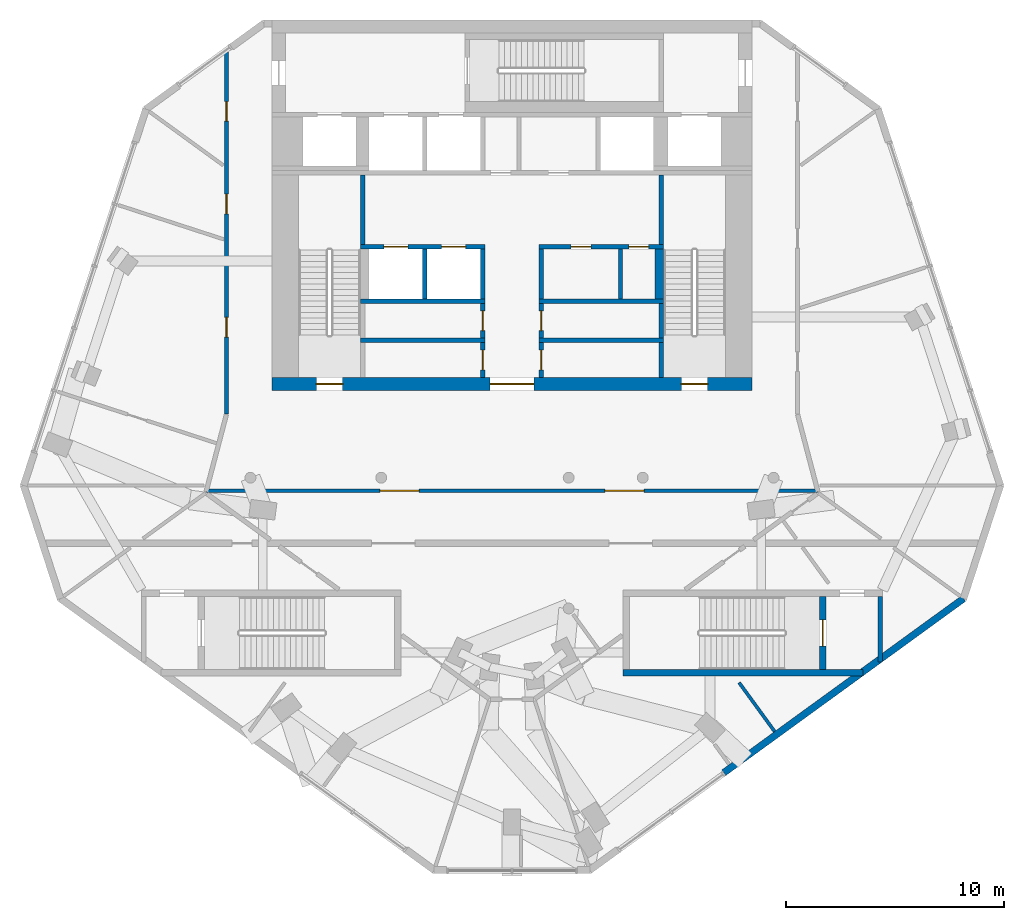
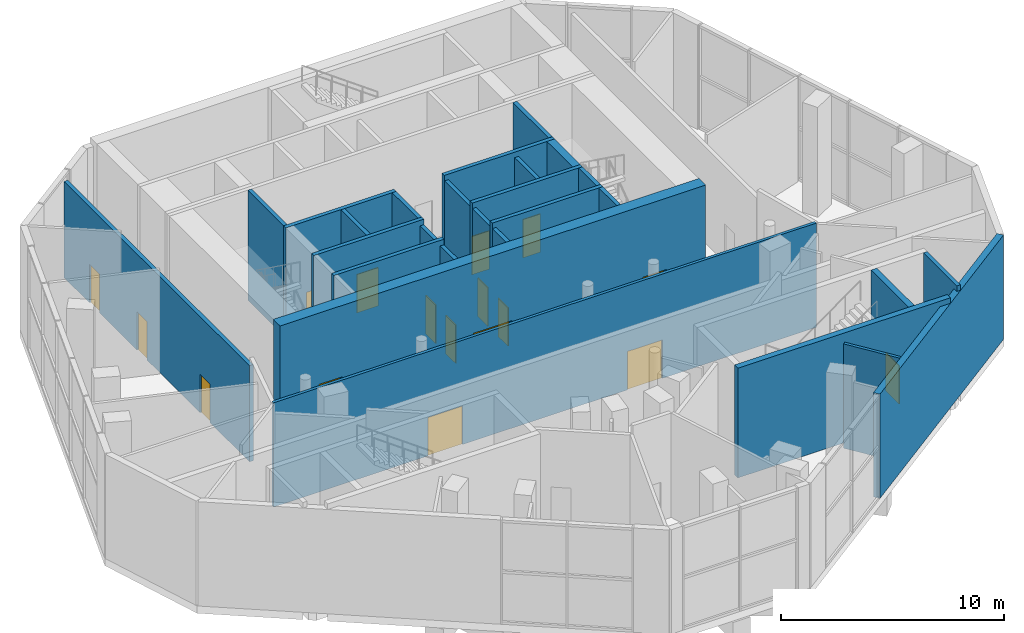
# One storey, part 7 of 11: 27 walls, 17 doors, 17 openings.
"""IFC4 building model written with IfcOpenShell, lengths in metres."""

from ifc_helpers import new_model, si_unit, direction, frame, frame_2d, origin, place, context, subcontext, project, spatial, rectangle, extrude, material, layer, layer_set, type_object, element, fill, save


model = new_model("IFC4")

# Units and contexts
model_context = context("Model", 3, precision=1e-05, world=origin(), true_north=direction((0.0, 1.0)))
body_context = subcontext(model_context, "Body", "Model", "MODEL_VIEW")
ifc_project = project(units=[si_unit("LENGTHUNIT", "METRE"), si_unit("AREAUNIT", "SQUARE_METRE"), si_unit("VOLUMEUNIT", "CUBIC_METRE"), si_unit("PLANEANGLEUNIT", "RADIAN"), si_unit("MASSUNIT", "GRAM", prefix="KILO")], contexts=[model_context])

# Site, building, storey
site_placement = place(None, origin())
site = spatial("IfcSite", under=ifc_project, at=site_placement, CompositionType="ELEMENT")
building_placement = place(site_placement, origin())
building = spatial("IfcBuilding", under=site, at=building_placement, Name="White Candle Pilgrim Tower", CompositionType="ELEMENT")
storey_placement = place(building_placement, frame((0.0, 0.0, 300.10009765625)))
storey = spatial("IfcBuildingStorey", under=building, at=storey_placement, Name="L71", CompositionType="ELEMENT", Elevation=300.10009765625)

# Wall
ifc_material_1 = material(Name="Concrete C40/50", Category="concrete")
ifc_layer_1 = layer(ifc_material_1, 0.199951171875)
ifc_layer_set_1 = layer_set([ifc_layer_1], Name="Core wall 200 mm Concrete C40/50")
wall_type_1 = type_object("IfcWallType", Name="Core wall 200 mm Concrete C40/50", PredefinedType="SHEAR", material=ifc_layer_set_1)
wall_1_placement = place(storey_placement, frame((86.89990234375, 58.555908203125, 0.0), z_axis=(0.0, 0.0, 1.0), x_axis=(0.0, 1.0, 0.0)))
element("IfcWall", 1, at=wall_1_placement, inside=storey, type_object=wall_type_1, Name="WL-L71-C08", PredefinedType="SHEAR", context=body_context, shape_type="SweptSolid", body=[
    extrude(rectangle(XDim=2.994140625, YDim=0.199951171875, at=frame_2d((1.4970703125, 0.0))), origin(), (0.0, 0.0, 1.0), 6.0),
])

# Wall, openings, doors
ifc_material_2 = material(Name="Gypsum board on steel studs", Category="steel")
ifc_layer_2 = layer(ifc_material_2, 0.199951171875)
ifc_layer_set_2 = layer_set([ifc_layer_2], Name="Corridor wall 200 mm EI 45")
wall_type_2 = type_object("IfcWallType", Name="Corridor wall 200 mm EI 45", PredefinedType="PARTITIONING", material=ifc_layer_set_2)
wall_2_placement = place(storey_placement, frame((56.89990234375, 69.9228515625, 0.0), z_axis=(0.0, 0.0, 1.0), x_axis=(0.0, 1.0, 0.0)))
wall_2 = element("IfcWall", 2, at=wall_2_placement, inside=storey, type_object=wall_type_2, Name="WL-L71-P012", PredefinedType="PARTITIONING", context=body_context, shape_type="SweptSolid", body=[
    extrude(rectangle(XDim=16.6142578125, YDim=0.199951171875, at=frame_2d((8.30712890625, 0.0))), origin(), (0.0, 0.0, 1.0), 5.25),
])
opening_1_placement = place(wall_2_placement, frame((13.43798828125, 0.0, 0.0)))
opening_1 = element("IfcOpeningElement", 3, at=opening_1_placement, cuts=wall_2, Name="Opening L71-101", PredefinedType="OPENING", context=body_context, shape_type="SweptSolid", body=[
    extrude(rectangle(XDim=0.89990234375, YDim=2.10009765625, at=frame_2d((0.449951171875, 1.050048828125))), frame((0.0, 0.10986328125, 0.0), z_axis=(0.0, -1.0, 0.0), x_axis=(1.0, 0.0, 0.0)), (0.0, 0.0, 1.0), 0.219970703125),
])
opening_2_placement = place(wall_2_placement, frame((9.18798828125, 0.0, 0.0)))
opening_2 = element("IfcOpeningElement", 4, at=opening_2_placement, cuts=wall_2, Name="Opening L71-102", PredefinedType="OPENING", context=body_context, shape_type="SweptSolid", body=[
    extrude(rectangle(XDim=0.89990234375, YDim=2.10009765625, at=frame_2d((0.449951171875, 1.050048828125))), frame((0.0, 0.10986328125, 0.0), z_axis=(0.0, -1.0, 0.0), x_axis=(1.0, 0.0, 0.0)), (0.0, 0.0, 1.0), 0.219970703125),
])
opening_3_placement = place(wall_2_placement, frame((3.5302734375, 0.0, 0.0)))
opening_3 = element("IfcOpeningElement", 5, at=opening_3_placement, cuts=wall_2, Name="Opening L71-103", PredefinedType="OPENING", context=body_context, shape_type="SweptSolid", body=[
    extrude(rectangle(XDim=0.89990234375, YDim=2.10009765625, at=frame_2d((0.449951171875, 1.050048828125))), frame((0.0, 0.10986328125, 0.0), z_axis=(0.0, -1.0, 0.0), x_axis=(1.0, 0.0, 0.0)), (0.0, 0.0, 1.0), 0.219970703125),
])
ifc_material_3 = material(Name="Steel door leaf", Category="steel")
door_type_1 = type_object("IfcDoorType", Name="Fire door 900 x 2100 EI 30", OperationType="NOTDEFINED", PredefinedType="DOOR", material=ifc_material_3)
door_1_placement = place(opening_1_placement, origin())
door_1 = element("IfcDoor", 6, at=door_1_placement, inside=storey, type_object=door_type_1, Name="Door L71-101", OperationType="SINGLE_SWING_LEFT", OverallHeight=2.10009765625, OverallWidth=0.89990234375, PredefinedType="DOOR", context=body_context, shape_type="SweptSolid", body=[
    extrude(rectangle(XDim=0.89990234375, YDim=2.10009765625, at=frame_2d((0.449951171875, 1.050048828125))), frame((0.0, 0.02490234375, 0.0), z_axis=(0.0, -1.0, 0.0), x_axis=(1.0, 0.0, 0.0)), (0.0, 0.0, 1.0), 0.050048828125),
])
fill(opening_1, door_1)
door_2_placement = place(opening_2_placement, origin())
door_2 = element("IfcDoor", 7, at=door_2_placement, inside=storey, type_object=door_type_1, Name="Door L71-102", OperationType="SINGLE_SWING_RIGHT", OverallHeight=2.10009765625, OverallWidth=0.89990234375, PredefinedType="DOOR", context=body_context, shape_type="SweptSolid", body=[
    extrude(rectangle(XDim=0.89990234375, YDim=2.10009765625, at=frame_2d((0.449951171875, 1.050048828125))), frame((0.0, 0.02490234375, 0.0), z_axis=(0.0, -1.0, 0.0), x_axis=(1.0, 0.0, 0.0)), (0.0, 0.0, 1.0), 0.050048828125),
])
fill(opening_2, door_2)
door_3_placement = place(opening_3_placement, origin())
door_3 = element("IfcDoor", 8, at=door_3_placement, inside=storey, type_object=door_type_1, Name="Door L71-103", OperationType="SINGLE_SWING_LEFT", OverallHeight=2.10009765625, OverallWidth=0.89990234375, PredefinedType="DOOR", context=body_context, shape_type="SweptSolid", body=[
    extrude(rectangle(XDim=0.89990234375, YDim=2.10009765625, at=frame_2d((0.449951171875, 1.050048828125))), frame((0.0, 0.02490234375, 0.0), z_axis=(0.0, -1.0, 0.0), x_axis=(1.0, 0.0, 0.0)), (0.0, 0.0, 1.0), 0.050048828125),
])
fill(opening_3, door_3)

# Wall
ifc_material_4 = material(Name="Precast concrete C40/50", Category="concrete")
ifc_layer_3 = layer(ifc_material_4, 0.320068359375)
ifc_layer_set_3 = layer_set([ifc_layer_3], Name="Facade wall EW1 precast concrete C40/50 pier wall with timber-lined reveals")
wall_type_3 = type_object("IfcWallType", Name="Facade wall EW1 precast concrete C40/50 pier wall with timber-lined reveals", PredefinedType="SOLIDWALL", material=ifc_layer_set_3)
wall_3_placement = place(storey_placement, frame((79.717529296875, 53.462646484375, 0.0), z_axis=(0.0, 0.0, 1.0), x_axis=(0.809018581772, 0.587783067422, 0.0)))
element("IfcWall", 9, at=wall_3_placement, inside=storey, type_object=wall_type_3, Name="Facade wall L71 SE", PredefinedType="SOLIDWALL", context=body_context, shape_type="SweptSolid", body=[
    extrude(rectangle(XDim=13.598876953125, YDim=0.320068359375, at=frame_2d((6.79931640625, 0.0))), origin(), (0.0, 0.0, 1.0), 5.699951171875),
])

# Wall, opening, door
ifc_layer_4 = layer(ifc_material_2, 0.199951171875)
ifc_layer_set_4 = layer_set([ifc_layer_4], Name="Lobby wall 200 mm EI 60")
wall_type_4 = type_object("IfcWallType", Name="Lobby wall 200 mm EI 60", PredefinedType="PARTITIONING", material=ifc_layer_set_4)
wall_4_placement = place(storey_placement, frame((68.64990234375, 71.60009765625, 0.0), z_axis=(0.0, 0.0, 1.0), x_axis=(0.0, 1.0, 0.0)))
wall_4 = element("IfcWall", 10, at=wall_4_placement, inside=storey, type_object=wall_type_4, Name="WL-L71-C14", PredefinedType="PARTITIONING", context=body_context, shape_type="SweptSolid", body=[
    extrude(rectangle(XDim=1.599853515625, YDim=0.199951171875, at=frame_2d((0.7998046875, 0.0))), origin(), (0.0, 0.0, 1.0), 5.699951171875),
])
opening_4_placement = place(wall_4_placement, frame((0.35009765625, 0.0, 0.0)))
opening_4 = element("IfcOpeningElement", 11, at=opening_4_placement, cuts=wall_4, Name="Opening L71-005", PredefinedType="OPENING", context=body_context, shape_type="SweptSolid", body=[
    extrude(rectangle(XDim=0.89990234375, YDim=2.10009765625, at=frame_2d((0.449951171875, 1.050048828125))), frame((0.0, 0.10986328125, 0.0), z_axis=(0.0, -1.0, 0.0), x_axis=(1.0, 0.0, 0.0)), (0.0, 0.0, 1.0), 0.219970703125),
])
door_4_placement = place(opening_4_placement, origin())
door_4 = element("IfcDoor", 12, at=door_4_placement, inside=storey, type_object=door_type_1, Name="Door L71-005", OperationType="SINGLE_SWING_LEFT", OverallHeight=2.10009765625, OverallWidth=0.89990234375, PredefinedType="DOOR", context=body_context, shape_type="SweptSolid", body=[
    extrude(rectangle(XDim=0.89990234375, YDim=2.10009765625, at=frame_2d((0.449951171875, 1.050048828125))), frame((0.0, 0.02490234375, 0.0), z_axis=(0.0, -1.0, 0.0), x_axis=(1.0, 0.0, 0.0)), (0.0, 0.0, 1.0), 0.050048828125),
])
fill(opening_4, door_4)

wall_5_placement = place(storey_placement, frame((71.35009765625, 71.60009765625, 0.0), z_axis=(0.0, 0.0, 1.0), x_axis=(0.0, 1.0, 0.0)))
wall_5 = element("IfcWall", 13, at=wall_5_placement, inside=storey, type_object=wall_type_4, Name="WL-L71-C15", PredefinedType="PARTITIONING", context=body_context, shape_type="SweptSolid", body=[
    extrude(rectangle(XDim=1.599853515625, YDim=0.199951171875, at=frame_2d((0.7998046875, 0.0))), origin(), (0.0, 0.0, 1.0), 5.699951171875),
])
opening_5_placement = place(wall_5_placement, frame((0.35009765625, 0.0, 0.0)))
opening_5 = element("IfcOpeningElement", 14, at=opening_5_placement, cuts=wall_5, Name="Opening L71-007", PredefinedType="OPENING", context=body_context, shape_type="SweptSolid", body=[
    extrude(rectangle(XDim=0.89990234375, YDim=2.10009765625, at=frame_2d((0.449951171875, 1.050048828125))), frame((0.0, 0.10986328125, 0.0), z_axis=(0.0, -1.0, 0.0), x_axis=(1.0, 0.0, 0.0)), (0.0, 0.0, 1.0), 0.219970703125),
])
door_5_placement = place(opening_5_placement, origin())
door_5 = element("IfcDoor", 15, at=door_5_placement, inside=storey, type_object=door_type_1, Name="Door L71-007", OperationType="SINGLE_SWING_LEFT", OverallHeight=2.10009765625, OverallWidth=0.89990234375, PredefinedType="DOOR", context=body_context, shape_type="SweptSolid", body=[
    extrude(rectangle(XDim=0.89990234375, YDim=2.10009765625, at=frame_2d((0.449951171875, 1.050048828125))), frame((0.0, 0.02490234375, 0.0), z_axis=(0.0, -1.0, 0.0), x_axis=(1.0, 0.0, 0.0)), (0.0, 0.0, 1.0), 0.050048828125),
])
fill(opening_5, door_5)

wall_6_placement = place(storey_placement, frame((68.64990234375, 73.39990234375, 0.0), z_axis=(0.0, 0.0, 1.0), x_axis=(0.0, 1.0, 0.0)))
wall_6 = element("IfcWall", 16, at=wall_6_placement, inside=storey, type_object=wall_type_4, Name="WL-L71-C21", PredefinedType="PARTITIONING", context=body_context, shape_type="SweptSolid", body=[
    extrude(rectangle(XDim=1.60009765625, YDim=0.199951171875, at=frame_2d((0.800048828125, 0.0))), origin(), (0.0, 0.0, 1.0), 5.699951171875),
])
opening_6_placement = place(wall_6_placement, frame((0.35009765625, 0.0, 0.0)))
opening_6 = element("IfcOpeningElement", 17, at=opening_6_placement, cuts=wall_6, Name="Opening L71-006", PredefinedType="OPENING", context=body_context, shape_type="SweptSolid", body=[
    extrude(rectangle(XDim=0.89990234375, YDim=2.10009765625, at=frame_2d((0.449951171875, 1.050048828125))), frame((0.0, 0.10986328125, 0.0), z_axis=(0.0, -1.0, 0.0), x_axis=(1.0, 0.0, 0.0)), (0.0, 0.0, 1.0), 0.219970703125),
])
door_6_placement = place(opening_6_placement, origin())
door_6 = element("IfcDoor", 18, at=door_6_placement, inside=storey, type_object=door_type_1, Name="Door L71-006", OperationType="SINGLE_SWING_RIGHT", OverallHeight=2.10009765625, OverallWidth=0.89990234375, PredefinedType="DOOR", context=body_context, shape_type="SweptSolid", body=[
    extrude(rectangle(XDim=0.89990234375, YDim=2.10009765625, at=frame_2d((0.449951171875, 1.050048828125))), frame((0.0, 0.02490234375, 0.0), z_axis=(0.0, -1.0, 0.0), x_axis=(1.0, 0.0, 0.0)), (0.0, 0.0, 1.0), 0.050048828125),
])
fill(opening_6, door_6)

wall_7_placement = place(storey_placement, frame((71.35009765625, 73.39990234375, 0.0), z_axis=(0.0, 0.0, 1.0), x_axis=(0.0, 1.0, 0.0)))
wall_7 = element("IfcWall", 19, at=wall_7_placement, inside=storey, type_object=wall_type_4, Name="WL-L71-C22", PredefinedType="PARTITIONING", context=body_context, shape_type="SweptSolid", body=[
    extrude(rectangle(XDim=1.60009765625, YDim=0.199951171875, at=frame_2d((0.800048828125, 0.0))), origin(), (0.0, 0.0, 1.0), 5.699951171875),
])
opening_7_placement = place(wall_7_placement, frame((0.35009765625, 0.0, 0.0)))
opening_7 = element("IfcOpeningElement", 20, at=opening_7_placement, cuts=wall_7, Name="Opening L71-008", PredefinedType="OPENING", context=body_context, shape_type="SweptSolid", body=[
    extrude(rectangle(XDim=0.89990234375, YDim=2.10009765625, at=frame_2d((0.449951171875, 1.050048828125))), frame((0.0, 0.10986328125, 0.0), z_axis=(0.0, -1.0, 0.0), x_axis=(1.0, 0.0, 0.0)), (0.0, 0.0, 1.0), 0.219970703125),
])
door_7_placement = place(opening_7_placement, origin())
door_7 = element("IfcDoor", 21, at=door_7_placement, inside=storey, type_object=door_type_1, Name="Door L71-008", OperationType="SINGLE_SWING_RIGHT", OverallHeight=2.10009765625, OverallWidth=0.89990234375, PredefinedType="DOOR", context=body_context, shape_type="SweptSolid", body=[
    extrude(rectangle(XDim=0.89990234375, YDim=2.10009765625, at=frame_2d((0.449951171875, 1.050048828125))), frame((0.0, 0.02490234375, 0.0), z_axis=(0.0, -1.0, 0.0), x_axis=(1.0, 0.0, 0.0)), (0.0, 0.0, 1.0), 0.050048828125),
])
fill(opening_7, door_7)

# Walls
for number, where, z_axis, x_axis, name in (
    (22, (71.35009765625, 75.199951171875, 0.0), (0.0, 0.0, 1.0), (0.0, 1.0, 0.0), "WL-L71-C29"),
    (23, (74.97998046875, 75.199951171875, 0.0), (0.0, 0.0, 1.0), (0.0, 1.0, 0.0), "WL-L71-C30"),
):
    element("IfcWall", number, at=place(storey_placement, frame(where, z_axis=z_axis, x_axis=x_axis)), inside=storey, type_object=wall_type_4, Name=name, PredefinedType="PARTITIONING", context=body_context, shape_type="SweptSolid", body=[
        extrude(rectangle(XDim=2.300048828125, YDim=0.199951171875, at=frame_2d((1.14990234375, 0.0))), origin(), (0.0, 0.0, 1.0), 5.699951171875),
    ])
ifc_layer_5 = layer(ifc_material_2, 0.14990234375)
ifc_layer_set_5 = layer_set([ifc_layer_5], Name="Partition 150 mm EI 60")
wall_type_5 = type_object("IfcWallType", Name="Partition 150 mm EI 60", PredefinedType="PARTITIONING", material=ifc_layer_set_5)
wall_8_placement = place(storey_placement, frame((82.050537109375, 55.35546875, 0.0), z_axis=(0.0, 0.0, 1.0), x_axis=(-0.58773733182, 0.809051808468, 0.0)))
element("IfcWall", 24, at=wall_8_placement, inside=storey, type_object=wall_type_5, Name="WL-L71-P026", PredefinedType="PARTITIONING", context=body_context, shape_type="SweptSolid", body=[
    extrude(rectangle(XDim=2.7744140625, YDim=0.14990234375, at=frame_2d((1.38720703125, 0.0))), origin(), (0.0, 0.0, 1.0), 5.699951171875),
])

# Wall, openings, doors
wall_9_placement = place(storey_placement, frame((84.024169921875, 66.39990234375, 0.0), z_axis=(0.0, 0.0, 1.0), x_axis=(-1.0, 0.0, 0.0)))
wall_9 = element("IfcWall", 25, at=wall_9_placement, inside=storey, type_object=wall_type_5, Name="WL-L71-P030", PredefinedType="PARTITIONING", context=body_context, shape_type="SweptSolid", body=[
    extrude(rectangle(XDim=28.04833984375, YDim=0.14990234375, at=frame_2d((14.024169921875, 0.0))), origin(), (0.0, 0.0, 1.0), 5.699951171875),
])
opening_8_placement = place(wall_9_placement, frame((7.964599609375, 0.0, 0.0)))
opening_8 = element("IfcOpeningElement", 26, at=opening_8_placement, cuts=wall_9, Name="Opening L71-113", PredefinedType="OPENING", context=body_context, shape_type="SweptSolid", body=[
    extrude(rectangle(XDim=1.800048828125, YDim=2.10009765625, at=frame_2d((0.89990234375, 1.050048828125))), frame((0.0, 0.0849609375, 0.0), z_axis=(0.0, -1.0, 0.0), x_axis=(1.0, 0.0, 0.0)), (0.0, 0.0, 1.0), 0.169921875),
])
opening_9_placement = place(wall_9_placement, frame((18.28369140625, 0.0, 0.0)))
opening_9 = element("IfcOpeningElement", 27, at=opening_9_placement, cuts=wall_9, Name="Opening L71-114", PredefinedType="OPENING", context=body_context, shape_type="SweptSolid", body=[
    extrude(rectangle(XDim=1.800048828125, YDim=2.10009765625, at=frame_2d((0.89990234375, 1.050048828125))), frame((0.0, 0.0849609375, 0.0), z_axis=(0.0, -1.0, 0.0), x_axis=(1.0, 0.0, 0.0)), (0.0, 0.0, 1.0), 0.169921875),
])
door_type_2 = type_object("IfcDoorType", Name="Fire door 1800 x 2100 EI 30", OperationType="NOTDEFINED", PredefinedType="DOOR", material=ifc_material_3)
door_8_placement = place(opening_8_placement, origin())
door_8 = element("IfcDoor", 28, at=door_8_placement, inside=storey, type_object=door_type_2, Name="Door L71-113", OperationType="DOUBLE_DOOR_SINGLE_SWING", OverallHeight=2.10009765625, OverallWidth=1.800048828125, PredefinedType="DOOR", context=body_context, shape_type="SweptSolid", body=[
    extrude(rectangle(XDim=1.800048828125, YDim=2.10009765625, at=frame_2d((0.89990234375, 1.050048828125))), frame((0.0, 0.02490234375, 0.0), z_axis=(0.0, -1.0, 0.0), x_axis=(1.0, 0.0, 0.0)), (0.0, 0.0, 1.0), 0.050048828125),
])
fill(opening_8, door_8)
door_9_placement = place(opening_9_placement, origin())
door_9 = element("IfcDoor", 29, at=door_9_placement, inside=storey, type_object=door_type_2, Name="Door L71-114", OperationType="DOUBLE_DOOR_SINGLE_SWING", OverallHeight=2.10009765625, OverallWidth=1.800048828125, PredefinedType="DOOR", context=body_context, shape_type="SweptSolid", body=[
    extrude(rectangle(XDim=1.800048828125, YDim=2.10009765625, at=frame_2d((0.89990234375, 1.050048828125))), frame((0.0, 0.02490234375, 0.0), z_axis=(0.0, -1.0, 0.0), x_axis=(1.0, 0.0, 0.0)), (0.0, 0.0, 1.0), 0.050048828125),
])
fill(opening_9, door_9)

# Walls
ifc_layer_6 = layer(ifc_material_1, 0.199951171875)
ifc_layer_set_6 = layer_set([ifc_layer_6], Name="Shaft wall 200 mm Concrete C40/50")
wall_type_6 = type_object("IfcWallType", Name="Shaft wall 200 mm Concrete C40/50", PredefinedType="SHEAR", material=ifc_layer_set_6)
for number, where, z_axis, x_axis, name in (
    (30, (66.0, 75.199951171875, 0.0), (0.0, 0.0, 1.0), (0.0, 1.0, 0.0), "WL-L71-C27"),
    (31, (68.64990234375, 75.199951171875, 0.0), (0.0, 0.0, 1.0), (0.0, 1.0, 0.0), "WL-L71-C28"),
):
    element("IfcWall", number, at=place(storey_placement, frame(where, z_axis=z_axis, x_axis=x_axis)), inside=storey, type_object=wall_type_6, Name=name, PredefinedType="SHEAR", context=body_context, shape_type="SweptSolid", body=[
        extrude(rectangle(XDim=2.300048828125, YDim=0.199951171875, at=frame_2d((1.14990234375, 0.0))), origin(), (0.0, 0.0, 1.0), 6.0),
    ])
ifc_layer_7 = layer(ifc_material_1, 0.199951171875)
ifc_layer_set_7 = layer_set([ifc_layer_7], Name="Stair shaft wall 200 mm Concrete C40/50")
wall_type_7 = type_object("IfcWallType", Name="Stair shaft wall 200 mm Concrete C40/50", PredefinedType="SHEAR", material=ifc_layer_set_7)
wall_10_placement = place(storey_placement, frame((76.85009765625, 71.60009765625, 0.0), z_axis=(0.0, 0.0, 1.0), x_axis=(0.0, 1.0, 0.0)))
element("IfcWall", 32, at=wall_10_placement, inside=storey, type_object=wall_type_7, Name="WL-L71-C16", PredefinedType="SHEAR", context=body_context, shape_type="SweptSolid", body=[
    extrude(rectangle(XDim=1.599853515625, YDim=0.199951171875, at=frame_2d((0.7998046875, 0.0))), origin(), (0.0, 0.0, 1.0), 6.0),
])
for number, where, z_axis, x_axis, name in (
    (33, (63.050048828125, 73.300048828125, 0.0), (0.0, 0.0, 1.0), (1.0, 0.0, 0.0), "WL-L71-C18"),
    (34, (71.25, 73.300048828125, 0.0), (0.0, 0.0, 1.0), (1.0, 0.0, 0.0), "WL-L71-C19"),
):
    element("IfcWall", number, at=place(storey_placement, frame(where, z_axis=z_axis, x_axis=x_axis)), inside=storey, type_object=wall_type_7, Name=name, PredefinedType="SHEAR", context=body_context, shape_type="SweptSolid", body=[
        extrude(rectangle(XDim=5.699951171875, YDim=0.199951171875, at=frame_2d((2.85009765625, 0.0))), origin(), (0.0, 0.0, 1.0), 6.0),
    ])
wall_11_placement = place(storey_placement, frame((76.85009765625, 73.39990234375, 0.0), z_axis=(0.0, 0.0, 1.0), x_axis=(0.0, 1.0, 0.0)))
element("IfcWall", 35, at=wall_11_placement, inside=storey, type_object=wall_type_7, Name="WL-L71-C23", PredefinedType="SHEAR", context=body_context, shape_type="SweptSolid", body=[
    extrude(rectangle(XDim=1.60009765625, YDim=0.199951171875, at=frame_2d((0.800048828125, 0.0))), origin(), (0.0, 0.0, 1.0), 6.0),
])
for number, where, z_axis, x_axis, name in (
    (36, (63.050048828125, 75.10009765625, 0.0), (0.0, 0.0, 1.0), (1.0, 0.0, 0.0), "WL-L71-C24"),
    (37, (71.25, 75.10009765625, 0.0), (0.0, 0.0, 1.0), (1.0, 0.0, 0.0), "WL-L71-C25"),
):
    element("IfcWall", number, at=place(storey_placement, frame(where, z_axis=z_axis, x_axis=x_axis)), inside=storey, type_object=wall_type_7, Name=name, PredefinedType="SHEAR", context=body_context, shape_type="SweptSolid", body=[
        extrude(rectangle(XDim=5.699951171875, YDim=0.199951171875, at=frame_2d((2.85009765625, 0.0))), origin(), (0.0, 0.0, 1.0), 6.0),
    ])

# Wall, openings, doors
wall_12_placement = place(storey_placement, frame((63.050048828125, 77.60009765625, 0.0), z_axis=(0.0, 0.0, 1.0), x_axis=(1.0, 0.0, 0.0)))
wall_12 = element("IfcWall", 38, at=wall_12_placement, inside=storey, type_object=wall_type_7, Name="WL-L71-C32", PredefinedType="SHEAR", context=body_context, shape_type="SweptSolid", body=[
    extrude(rectangle(XDim=5.699951171875, YDim=0.199951171875, at=frame_2d((2.85009765625, 0.0))), origin(), (0.0, 0.0, 1.0), 6.0),
])
opening_10_placement = place(wall_12_placement, frame((1.074951171875, 0.0, 0.0)))
opening_10 = element("IfcOpeningElement", 39, at=opening_10_placement, cuts=wall_12, Name="Opening L71-015", PredefinedType="OPENING", context=body_context, shape_type="SweptSolid", body=[
    extrude(rectangle(XDim=1.10009765625, YDim=2.10009765625, at=frame_2d((0.550048828125, 1.050048828125))), frame((0.0, 0.10986328125, 0.0), z_axis=(0.0, -1.0, 0.0), x_axis=(1.0, 0.0, 0.0)), (0.0, 0.0, 1.0), 0.219970703125),
])
opening_11_placement = place(wall_12_placement, frame((3.72509765625, 0.0, 0.0)))
opening_11 = element("IfcOpeningElement", 40, at=opening_11_placement, cuts=wall_12, Name="Opening L71-016", PredefinedType="OPENING", context=body_context, shape_type="SweptSolid", body=[
    extrude(rectangle(XDim=1.10009765625, YDim=2.10009765625, at=frame_2d((0.550048828125, 1.050048828125))), frame((0.0, 0.10986328125, 0.0), z_axis=(0.0, -1.0, 0.0), x_axis=(1.0, 0.0, 0.0)), (0.0, 0.0, 1.0), 0.219970703125),
])
ifc_material_5 = material(Name="Stainless steel", Category="steel")
door_type_3 = type_object("IfcDoorType", Name="Lift landing door 1100 x 2100 E 60", OperationType="DOUBLE_DOOR_SLIDING", PredefinedType="DOOR", material=ifc_material_5)
door_10_placement = place(opening_10_placement, origin())
door_10 = element("IfcDoor", 41, at=door_10_placement, inside=storey, type_object=door_type_3, Name="Door L71-015", OperationType="DOUBLE_DOOR_SLIDING", OverallHeight=2.10009765625, OverallWidth=1.10009765625, PredefinedType="DOOR", context=body_context, shape_type="SweptSolid", body=[
    extrude(rectangle(XDim=1.10009765625, YDim=2.10009765625, at=frame_2d((0.550048828125, 1.050048828125))), frame((0.0, 0.02490234375, 0.0), z_axis=(0.0, -1.0, 0.0), x_axis=(1.0, 0.0, 0.0)), (0.0, 0.0, 1.0), 0.050048828125),
])
fill(opening_10, door_10)
door_11_placement = place(opening_11_placement, origin())
door_11 = element("IfcDoor", 42, at=door_11_placement, inside=storey, type_object=door_type_3, Name="Door L71-016", OperationType="DOUBLE_DOOR_SLIDING", OverallHeight=2.10009765625, OverallWidth=1.10009765625, PredefinedType="DOOR", context=body_context, shape_type="SweptSolid", body=[
    extrude(rectangle(XDim=1.10009765625, YDim=2.10009765625, at=frame_2d((0.550048828125, 1.050048828125))), frame((0.0, 0.02490234375, 0.0), z_axis=(0.0, -1.0, 0.0), x_axis=(1.0, 0.0, 0.0)), (0.0, 0.0, 1.0), 0.050048828125),
])
fill(opening_11, door_11)

wall_13_placement = place(storey_placement, frame((71.25, 77.60009765625, 0.0), z_axis=(0.0, 0.0, 1.0), x_axis=(1.0, 0.0, 0.0)))
wall_13 = element("IfcWall", 43, at=wall_13_placement, inside=storey, type_object=wall_type_7, Name="WL-L71-C33", PredefinedType="SHEAR", context=body_context, shape_type="SweptSolid", body=[
    extrude(rectangle(XDim=5.699951171875, YDim=0.199951171875, at=frame_2d((2.85009765625, 0.0))), origin(), (0.0, 0.0, 1.0), 6.0),
])
opening_12_placement = place(wall_13_placement, frame((1.465087890625, 0.0, 0.0)))
opening_12 = element("IfcOpeningElement", 44, at=opening_12_placement, cuts=wall_13, Name="Opening L71-021", PredefinedType="OPENING", context=body_context, shape_type="SweptSolid", body=[
    extrude(rectangle(XDim=0.89990234375, YDim=2.10009765625, at=frame_2d((0.449951171875, 1.050048828125))), frame((0.0, 0.10986328125, 0.0), z_axis=(0.0, -1.0, 0.0), x_axis=(1.0, 0.0, 0.0)), (0.0, 0.0, 1.0), 0.219970703125),
])
opening_13_placement = place(wall_13_placement, frame((4.114990234375, 0.0, 0.0)))
opening_13 = element("IfcOpeningElement", 45, at=opening_13_placement, cuts=wall_13, Name="Opening L71-022", PredefinedType="OPENING", context=body_context, shape_type="SweptSolid", body=[
    extrude(rectangle(XDim=0.89990234375, YDim=2.10009765625, at=frame_2d((0.449951171875, 1.050048828125))), frame((0.0, 0.10986328125, 0.0), z_axis=(0.0, -1.0, 0.0), x_axis=(1.0, 0.0, 0.0)), (0.0, 0.0, 1.0), 0.219970703125),
])
door_12_placement = place(opening_12_placement, origin())
door_12 = element("IfcDoor", 46, at=door_12_placement, inside=storey, type_object=door_type_1, Name="Door L71-021", OperationType="SINGLE_SWING_LEFT", OverallHeight=2.10009765625, OverallWidth=0.89990234375, PredefinedType="DOOR", context=body_context, shape_type="SweptSolid", body=[
    extrude(rectangle(XDim=0.89990234375, YDim=2.10009765625, at=frame_2d((0.449951171875, 1.050048828125))), frame((0.0, 0.02490234375, 0.0), z_axis=(0.0, -1.0, 0.0), x_axis=(1.0, 0.0, 0.0)), (0.0, 0.0, 1.0), 0.050048828125),
])
fill(opening_12, door_12)
door_13_placement = place(opening_13_placement, origin())
door_13 = element("IfcDoor", 47, at=door_13_placement, inside=storey, type_object=door_type_1, Name="Door L71-022", OperationType="SINGLE_SWING_RIGHT", OverallHeight=2.10009765625, OverallWidth=0.89990234375, PredefinedType="DOOR", context=body_context, shape_type="SweptSolid", body=[
    extrude(rectangle(XDim=0.89990234375, YDim=2.10009765625, at=frame_2d((0.449951171875, 1.050048828125))), frame((0.0, 0.02490234375, 0.0), z_axis=(0.0, -1.0, 0.0), x_axis=(1.0, 0.0, 0.0)), (0.0, 0.0, 1.0), 0.050048828125),
])
fill(opening_13, door_13)

# Walls
for number, where, z_axis, x_axis, name in (
    (48, (63.14990234375, 77.699951171875, 0.0), (0.0, 0.0, 1.0), (0.0, 1.0, 0.0), "WL-L71-C34"),
    (49, (76.85009765625, 77.699951171875, 0.0), (0.0, 0.0, 1.0), (0.0, 1.0, 0.0), "WL-L71-C35"),
):
    element("IfcWall", number, at=place(storey_placement, frame(where, z_axis=z_axis, x_axis=x_axis)), inside=storey, type_object=wall_type_7, Name=name, PredefinedType="SHEAR", context=body_context, shape_type="SweptSolid", body=[
        extrude(rectangle(XDim=3.199951171875, YDim=0.199951171875, at=frame_2d((1.60009765625, 0.0))), origin(), (0.0, 0.0, 1.0), 6.0),
    ])
ifc_layer_8 = layer(ifc_material_1, 0.300048828125)
ifc_layer_set_8 = layer_set([ifc_layer_8], Name="Stair shaft wall 300 mm Concrete C40/50")
wall_type_8 = type_object("IfcWallType", Name="Stair shaft wall 300 mm Concrete C40/50", PredefinedType="SHEAR", material=ifc_layer_set_8)
wall_14_placement = place(storey_placement, frame((75.10009765625, 58.050048828125, 0.0), z_axis=(0.0, 0.0, 1.0), x_axis=(1.0, 0.0, 0.0)))
element("IfcWall", 50, at=wall_14_placement, inside=storey, type_object=wall_type_8, Name="WL-L71-C02", PredefinedType="SHEAR", context=body_context, shape_type="SweptSolid", body=[
    extrude(rectangle(XDim=10.9970703125, YDim=0.300048828125, at=frame_2d((5.49853515625, 0.0))), origin(), (0.0, 0.0, 1.0), 6.0),
])

# Wall, opening, door
wall_15_placement = place(storey_placement, frame((84.25, 58.199951171875, 0.0), z_axis=(0.0, 0.0, 1.0), x_axis=(0.0, 1.0, 0.0)))
wall_15 = element("IfcWall", 51, at=wall_15_placement, inside=storey, type_object=wall_type_8, Name="WL-L71-C06", PredefinedType="SHEAR", context=body_context, shape_type="SweptSolid", body=[
    extrude(rectangle(XDim=3.35009765625, YDim=0.300048828125, at=frame_2d((1.675048828125, 0.0))), origin(), (0.0, 0.0, 1.0), 6.0),
])
opening_14_placement = place(wall_15_placement, frame((1.074951171875, 0.0, 0.0)))
opening_14 = element("IfcOpeningElement", 52, at=opening_14_placement, cuts=wall_15, Name="Opening L71-014", PredefinedType="OPENING", context=body_context, shape_type="SweptSolid", body=[
    extrude(rectangle(XDim=1.199951171875, YDim=2.10009765625, at=frame_2d((0.60009765625, 1.050048828125))), frame((0.0, 0.159912109375, 0.0), z_axis=(0.0, -1.0, 0.0), x_axis=(1.0, 0.0, 0.0)), (0.0, 0.0, 1.0), 0.320068359375),
])
door_type_4 = type_object("IfcDoorType", Name="Fire door 1200 x 2100 EI 60", OperationType="NOTDEFINED", PredefinedType="DOOR", material=ifc_material_3)
door_14_placement = place(opening_14_placement, origin())
door_14 = element("IfcDoor", 53, at=door_14_placement, inside=storey, type_object=door_type_4, Name="Door L71-014", OperationType="SINGLE_SWING_RIGHT", OverallHeight=2.10009765625, OverallWidth=1.199951171875, PredefinedType="DOOR", context=body_context, shape_type="SweptSolid", body=[
    extrude(rectangle(XDim=1.199951171875, YDim=2.10009765625, at=frame_2d((0.60009765625, 1.050048828125))), frame((0.0, 0.02490234375, 0.0), z_axis=(0.0, -1.0, 0.0), x_axis=(1.0, 0.0, 0.0)), (0.0, 0.0, 1.0), 0.050048828125),
])
fill(opening_14, door_14)

# Wall
ifc_layer_9 = layer(ifc_material_1, 0.39990234375)
ifc_layer_set_9 = layer_set([ifc_layer_9], Name="Stair shaft wall 400 mm Concrete C40/50")
wall_type_9 = type_object("IfcWallType", Name="Stair shaft wall 400 mm Concrete C40/50", PredefinedType="SHEAR", material=ifc_layer_set_9)
wall_16_placement = place(storey_placement, frame((76.75, 75.199951171875, 0.0), z_axis=(0.0, 0.0, 1.0), x_axis=(0.0, 1.0, 0.0)))
element("IfcWall", 54, at=wall_16_placement, inside=storey, type_object=wall_type_9, Name="WL-L71-C31", PredefinedType="SHEAR", context=body_context, shape_type="SweptSolid", body=[
    extrude(rectangle(XDim=2.300048828125, YDim=0.39990234375, at=frame_2d((1.14990234375, 0.0))), origin(), (0.0, 0.0, 1.0), 6.0),
])

# Wall, openings, doors
ifc_layer_10 = layer(ifc_material_1, 0.60009765625)
ifc_layer_set_10 = layer_set([ifc_layer_10], Name="Stair shaft wall 600 mm Concrete C40/50")
wall_type_10 = type_object("IfcWallType", Name="Stair shaft wall 600 mm Concrete C40/50", PredefinedType="SHEAR", material=ifc_layer_set_10)
wall_17_placement = place(storey_placement, frame((59.0, 71.300048828125, 0.0), z_axis=(0.0, 0.0, 1.0), x_axis=(1.0, 0.0, 0.0)))
wall_17 = element("IfcWall", 55, at=wall_17_placement, inside=storey, type_object=wall_type_10, Name="WL-L71-C11", PredefinedType="SHEAR", context=body_context, shape_type="SweptSolid", body=[
    extrude(rectangle(XDim=22.0, YDim=0.60009765625, at=frame_2d((11.0, 0.0))), origin(), (0.0, 0.0, 1.0), 6.0),
])
opening_15_placement = place(wall_17_placement, frame((2.02490234375, 0.0, 0.0)))
opening_15 = element("IfcOpeningElement", 56, at=opening_15_placement, cuts=wall_17, Name="Opening L71-001", PredefinedType="OPENING", context=body_context, shape_type="SweptSolid", body=[
    extrude(rectangle(XDim=1.199951171875, YDim=2.10009765625, at=frame_2d((0.60009765625, 1.050048828125))), frame((0.0, 0.31005859375, 0.0), z_axis=(0.0, -1.0, 0.0), x_axis=(1.0, 0.0, 0.0)), (0.0, 0.0, 1.0), 0.6201171875),
])
opening_16_placement = place(wall_17_placement, frame((18.77490234375, 0.0, 0.0)))
opening_16 = element("IfcOpeningElement", 57, at=opening_16_placement, cuts=wall_17, Name="Opening L71-002", PredefinedType="OPENING", context=body_context, shape_type="SweptSolid", body=[
    extrude(rectangle(XDim=1.199951171875, YDim=2.10009765625, at=frame_2d((0.60009765625, 1.050048828125))), frame((0.0, 0.31005859375, 0.0), z_axis=(0.0, -1.0, 0.0), x_axis=(1.0, 0.0, 0.0)), (0.0, 0.0, 1.0), 0.6201171875),
])
opening_17_placement = place(wall_17_placement, frame((10.0, 0.0, 0.0)))
opening_17 = element("IfcOpeningElement", 58, at=opening_17_placement, cuts=wall_17, Name="Opening L71-004", PredefinedType="OPENING", context=body_context, shape_type="SweptSolid", body=[
    extrude(rectangle(XDim=2.0, YDim=2.10009765625, at=frame_2d((1.0, 1.050048828125))), frame((0.0, 0.31005859375, 0.0), z_axis=(0.0, -1.0, 0.0), x_axis=(1.0, 0.0, 0.0)), (0.0, 0.0, 1.0), 0.6201171875),
])
door_15_placement = place(opening_15_placement, frame((1.199951171875, 0.0, 0.0), z_axis=(0.0, 0.0, 1.0), x_axis=(-1.0, 0.0, 0.0)))
door_15 = element("IfcDoor", 59, at=door_15_placement, inside=storey, type_object=door_type_4, Name="Door L71-001", OperationType="SINGLE_SWING_RIGHT", OverallHeight=2.10009765625, OverallWidth=1.199951171875, PredefinedType="DOOR", context=body_context, shape_type="SweptSolid", body=[
    extrude(rectangle(XDim=1.199951171875, YDim=2.10009765625, at=frame_2d((0.60009765625, 1.050048828125))), frame((0.0, 0.02490234375, 0.0), z_axis=(0.0, -1.0, 0.0), x_axis=(1.0, 0.0, 0.0)), (0.0, 0.0, 1.0), 0.050048828125),
])
fill(opening_15, door_15)
door_16_placement = place(opening_16_placement, frame((1.199951171875, 0.0, 0.0), z_axis=(0.0, 0.0, 1.0), x_axis=(-1.0, 0.0, 0.0)))
door_16 = element("IfcDoor", 60, at=door_16_placement, inside=storey, type_object=door_type_4, Name="Door L71-002", OperationType="SINGLE_SWING_LEFT", OverallHeight=2.10009765625, OverallWidth=1.199951171875, PredefinedType="DOOR", context=body_context, shape_type="SweptSolid", body=[
    extrude(rectangle(XDim=1.199951171875, YDim=2.10009765625, at=frame_2d((0.60009765625, 1.050048828125))), frame((0.0, 0.02490234375, 0.0), z_axis=(0.0, -1.0, 0.0), x_axis=(1.0, 0.0, 0.0)), (0.0, 0.0, 1.0), 0.050048828125),
])
fill(opening_16, door_16)
door_type_5 = type_object("IfcDoorType", Name="Fire door 2000 x 2100 EI 60", OperationType="NOTDEFINED", PredefinedType="DOOR", material=ifc_material_3)
door_17_placement = place(opening_17_placement, frame((2.0, 0.0, 0.0), z_axis=(0.0, 0.0, 1.0), x_axis=(-1.0, 0.0, 0.0)))
door_17 = element("IfcDoor", 61, at=door_17_placement, inside=storey, type_object=door_type_5, Name="Door L71-004", OperationType="DOUBLE_DOOR_SINGLE_SWING", OverallHeight=2.10009765625, OverallWidth=2.0, PredefinedType="DOOR", context=body_context, shape_type="SweptSolid", body=[
    extrude(rectangle(XDim=2.0, YDim=2.10009765625, at=frame_2d((1.0, 1.050048828125))), frame((0.0, 0.02490234375, 0.0), z_axis=(0.0, -1.0, 0.0), x_axis=(1.0, 0.0, 0.0)), (0.0, 0.0, 1.0), 0.050048828125),
])
fill(opening_17, door_17)

save(model, "model.ifc")
